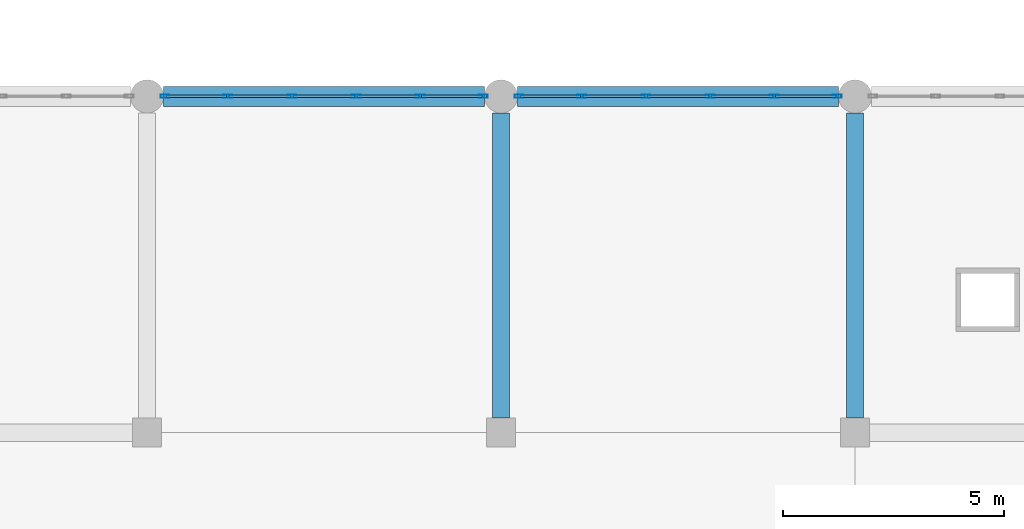
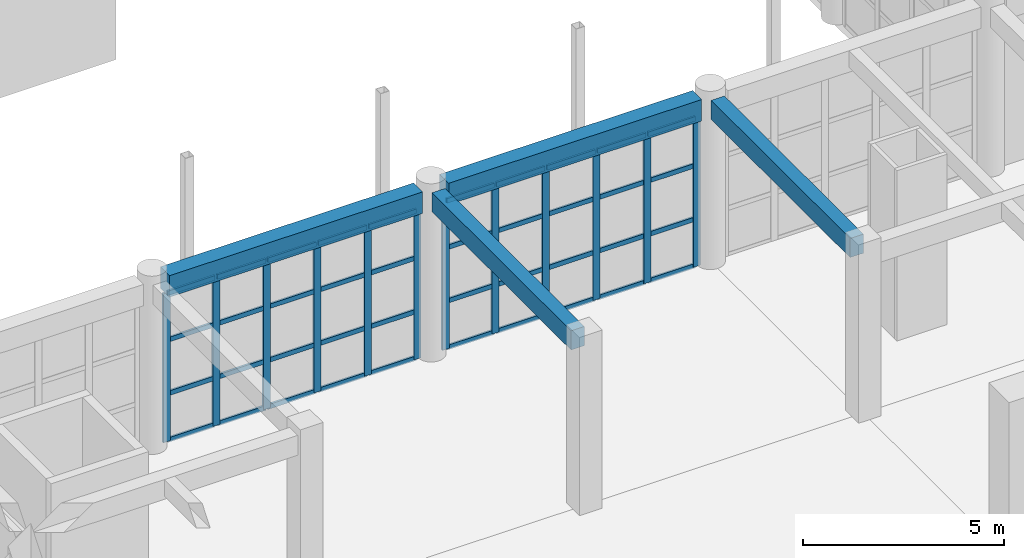
# One storey, part 49 of 95: 52 members, 4 beams, 2 elements without a shape of their own.
"""IFC4 building model written with IfcOpenShell, lengths in metres."""

import ifcopenshell
import ifcopenshell.guid

model = None  # the IFC model being written
_history = None  # IfcOwnerHistory: only IFC2X3 demands one
_inside = {}  # id of a spatial element -> (the spatial element, [elements in it])
_under = {}  # id of a project, library or spatial element -> (it, [spatial elements below it])
_declared = {}  # id of a project -> (the project, [libraries it declares])
_typed = {}  # id of a type object -> (the type object, [elements of that type])
_made_of = {}  # id of a material, layer set ... -> (it, [elements and type objects made of it])


def new_model(schema):
    """Start an empty IFC model of exactly this schema.

    Asked for "IFC4X3", IfcOpenShell would pick the latest addendum, in which some entities
    have other attributes; the version numbers below select the first issue.
    IFC2X3 requires an IfcOwnerHistory on every rooted entity: one is made here for all.
    """
    global model, _history
    if schema == "IFC4X3":
        model = ifcopenshell.file(schema_version=(4, 3, 0, 0))
    else:
        model = ifcopenshell.file(schema=schema)
    _inside.clear()
    _under.clear()
    _declared.clear()
    _typed.clear()
    _made_of.clear()
    _history = None
    if model.schema == "IFC2X3":
        org = make("IfcOrganization", Name="unknown")
        user = make(
            "IfcPersonAndOrganization",
            ThePerson=make("IfcPerson", FamilyName="unknown"),
            TheOrganization=org,
        )
        app = make(
            "IfcApplication",
            ApplicationDeveloper=org,
            Version="unknown",
            ApplicationFullName="unknown",
            ApplicationIdentifier="unknown",
        )
        _history = make(
            "IfcOwnerHistory",
            OwningUser=user,
            OwningApplication=app,
            ChangeAction="ADDED",
            CreationDate=0,
        )
    return model


def make(cls, **values):
    """One entity of the class cls with the attributes given. An attribute that is None is left unset."""
    return model.create_entity(
        cls, **{name: value for name, value in values.items() if value is not None}
    )


def rooted(cls, **values):
    """An entity with a GlobalId (a new one), such as an element, a storey or a relation."""
    return make(cls, GlobalId=ifcopenshell.guid.new(), OwnerHistory=_history, **values)


def si_unit(unit_type, name, prefix=None):
    """IfcSIUnit, for example si_unit("LENGTHUNIT", "METRE", prefix="MILLI")."""
    return make("IfcSIUnit", UnitType=unit_type, Prefix=prefix, Name=name)


def assignment(units):
    """IfcUnitAssignment: the units of a project."""
    return None if units is None else make("IfcUnitAssignment", Units=units)


def point(xyz):
    """IfcCartesianPoint."""
    return None if xyz is None else make("IfcCartesianPoint", Coordinates=xyz)


def direction(xyz):
    """IfcDirection."""
    return None if xyz is None else make("IfcDirection", DirectionRatios=xyz)


def frame(location, z_axis=None, x_axis=None):
    """IfcAxis2Placement3D, a coordinate frame: its origin and axes. An axis left out is left unset."""
    return make(
        "IfcAxis2Placement3D",
        Location=point(location),
        Axis=direction(z_axis),
        RefDirection=direction(x_axis),
    )


def frame_2d(location, x_axis=None):
    """IfcAxis2Placement2D, a coordinate frame in the plane: its origin and x axis."""
    return make(
        "IfcAxis2Placement2D", Location=point(location), RefDirection=direction(x_axis)
    )


def origin():
    """The frame at (0, 0, 0) with its axes left unset."""
    return frame((0.0, 0.0, 0.0))


def origin_2d():
    """The frame at (0, 0) in the plane with its x axis left unset."""
    return frame_2d((0.0, 0.0))


def place(relative_to, where):
    """IfcLocalPlacement: puts the frame where relative to a parent placement (None: the world)."""
    return make(
        "IfcLocalPlacement", PlacementRelTo=relative_to, RelativePlacement=where
    )


def context(
    kind, dimensions, precision=None, world=None, true_north=None, identifier=None
):
    """IfcGeometricRepresentationContext, for example the 3D "Model" context."""
    return make(
        "IfcGeometricRepresentationContext",
        ContextIdentifier=identifier,
        ContextType=kind,
        CoordinateSpaceDimension=dimensions,
        Precision=precision,
        WorldCoordinateSystem=world,
        TrueNorth=true_north,
    )


def subcontext(parent, identifier, kind, view, scale=None):
    """IfcGeometricRepresentationSubContext, for example "Body" below "Model"."""
    return make(
        "IfcGeometricRepresentationSubContext",
        ContextIdentifier=identifier,
        ContextType=kind,
        ParentContext=parent,
        TargetScale=scale,
        TargetView=view,
    )


def project(units=None, contexts=None):
    """IfcProject with its units and contexts."""
    return rooted(
        "IfcProject",
        Name="project",
        RepresentationContexts=contexts,
        UnitsInContext=assignment(units),
    )


def spatial(cls, under=None, at=None, **own):
    """A site, building, storey or space (cls), placed at a placement, below another one or the project."""
    s = rooted(cls, ObjectPlacement=at, **own)
    if under is not None:
        _under.setdefault(under.id(), (under, []))[1].append(s)
    return s


def profile(cls, at=None, kind="AREA", **sizes):
    """A parametric profile (cls). Its sizes go by their IFC names, for example OverallWidth=200.0."""
    return make(cls, ProfileType=kind, Position=at, **sizes)


def rectangle(**sizes):
    """IfcRectangleProfileDef."""
    return profile("IfcRectangleProfileDef", **sizes)


def hollow_rectangle(**sizes):
    """IfcRectangleHollowProfileDef."""
    return profile("IfcRectangleHollowProfileDef", **sizes)


def extrude(swept, where, along, depth):
    """IfcExtrudedAreaSolid: the profile swept, set in the frame where, extruded along a direction by depth."""
    return make(
        "IfcExtrudedAreaSolid",
        SweptArea=swept,
        Position=where,
        ExtrudedDirection=direction(along),
        Depth=depth,
    )


def shape(context_of_items, identifier, shape_type, items):
    """IfcShapeRepresentation: the items that make up one representation, for example the "Body"."""
    return make(
        "IfcShapeRepresentation",
        ContextOfItems=context_of_items,
        RepresentationIdentifier=identifier,
        RepresentationType=shape_type,
        Items=items,
    )


def material(Name=None, Category=None):
    """IfcMaterial."""
    return make("IfcMaterial", Name=Name, Category=Category)


def material_profile(
    of_material, cross_section, Name=None, Category=None, Priority=None
):
    """IfcMaterialProfile: a cross section and its material."""
    return make(
        "IfcMaterialProfile",
        Name=Name,
        Material=of_material,
        Profile=cross_section,
        Priority=Priority,
        Category=Category,
    )


def profile_set(profiles, Name=None, composite=None):
    """IfcMaterialProfileSet."""
    return make(
        "IfcMaterialProfileSet",
        Name=Name,
        MaterialProfiles=profiles,
        CompositeProfile=composite,
    )


def made_of(thing, what):
    """Note that an element or type object is made of a material, layer set ...; save() writes the relation."""
    if what is not None:
        _made_of.setdefault(what.id(), (what, []))[1].append(thing)
    return thing


def type_object(cls, material=None, **own):
    """A type object (cls), such as IfcWallType, which elements share."""
    return made_of(rooted(cls, **own), material)


def element(
    cls,
    number,
    at=None,
    inside=None,
    cuts=None,
    type_object=None,
    material=None,
    context=None,
    identifier="Body",
    shape_type=None,
    held_by="IfcProductDefinitionShape",
    body=None,
    shapes=None,
    **own,
):
    """One element of the class cls, such as IfcWall. Its Tag is "e" and its number.

    at: its placement. inside: the storey or other place that contains it. cuts: it is an
    opening in that element (IfcRelVoidsElement). A single representation is given by context,
    identifier, shape_type and body (its items); several are given by shapes. held_by: the class
    of the entity that holds the representations. save() writes the other relations.
    """
    e = rooted(cls, Tag="e%d" % number, ObjectPlacement=at, **own)
    if body is not None:
        shapes = [shape(context, identifier, shape_type, body)]
    if shapes is not None:
        e.Representation = make(held_by, Representations=shapes)
    if inside is not None:
        _inside.setdefault(inside.id(), (inside, []))[1].append(e)
    if cuts is not None:
        rooted(
            "IfcRelVoidsElement", RelatingBuildingElement=cuts, RelatedOpeningElement=e
        )
    if type_object is not None:
        _typed.setdefault(type_object.id(), (type_object, []))[1].append(e)
    return made_of(e, material)


def aggregate(whole, parts):
    """IfcRelAggregates: a whole, such as a stair, and the parts it consists of."""
    return rooted("IfcRelAggregates", RelatingObject=whole, RelatedObjects=parts)


def save(model, path):
    """Write the relations noted so far, then the file.

    IfcRelAggregates (storeys below a building ...), IfcRelContainedInSpatialStructure (elements
    in a storey), IfcRelDefinesByType, IfcRelAssociatesMaterial and IfcRelDeclares: one each for
    every whole, place, type object, material and project.
    """
    for whole, parts in _under.values():
        aggregate(whole, parts)
    for where, things in _inside.values():
        rooted(
            "IfcRelContainedInSpatialStructure",
            RelatedElements=things,
            RelatingStructure=where,
        )
    for kind, things in _typed.values():
        rooted("IfcRelDefinesByType", RelatedObjects=things, RelatingType=kind)
    for what, things in _made_of.values():
        rooted("IfcRelAssociatesMaterial", RelatedObjects=things, RelatingMaterial=what)
    for by, libraries in _declared.values():
        rooted("IfcRelDeclares", RelatingContext=by, RelatedDefinitions=libraries)
    model.write(path)


model = new_model("IFC4")

# Units and contexts
model_context = context("Model", 3, precision=1e-05, world=origin(), true_north=direction((0.0, 1.0)))
body_context = subcontext(model_context, "Body", "Model", "MODEL_VIEW")
ifc_project = project(units=[si_unit("LENGTHUNIT", "METRE"), si_unit("AREAUNIT", "SQUARE_METRE"), si_unit("VOLUMEUNIT", "CUBIC_METRE"), si_unit("PLANEANGLEUNIT", "RADIAN"), si_unit("MASSUNIT", "GRAM", prefix="KILO")], contexts=[model_context])

# Site, building, storey
site_placement = place(None, origin())
site = spatial("IfcSite", under=ifc_project, at=site_placement, CompositionType="ELEMENT")
building_placement = place(site_placement, origin())
building = spatial("IfcBuilding", under=site, at=building_placement, Name="Zantavel Square City Hall", CompositionType="ELEMENT")
storey_placement = place(building_placement, origin())
storey = spatial("IfcBuildingStorey", under=building, at=storey_placement, Name="L01", CompositionType="ELEMENT", Elevation=0.0)

# Beams
ifc_material_1 = material(Name="Concrete C35/45", Category="concrete")
ifc_material_profile_1 = material_profile(ifc_material_1, rectangle(XDim=0.3798828125, YDim=0.580078125, at=origin_2d()), Name="RC 380x580")
ifc_profile_set_1 = profile_set([ifc_material_profile_1], Name="Concrete C35/45")
beam_type_1 = type_object("IfcBeamType", Name="Annex Secondary Beam RC 380x580 C35/45", PredefinedType="BEAM", material=ifc_profile_set_1)
for number, where, z_axis, x_axis, name in (
    (1, (136.0, 30.72509765625, 4.8701171875), (0.0, 1.0, 0.0), (-1.0, 0.0, 0.0), "L01 Beam BMY-L01-1360-0304"),
    (2, (144.0, 30.72509765625, 4.8701171875), (0.0, 1.0, 0.0), (-1.0, 0.0, 0.0), "L01 Beam BMY-L01-1440-0304"),
):
    element("IfcBeam", number, at=place(storey_placement, frame(where, z_axis=z_axis, x_axis=x_axis)), inside=storey, type_object=beam_type_1, Name=name, PredefinedType="BEAM", context=body_context, shape_type="SweptSolid", body=[
        extrude(rectangle(XDim=0.3798828125, YDim=0.580078125, at=origin_2d()), origin(), (0.0, 0.0, 1.0), 6.89990234375),
    ])

# Curtain wall, members
ifc_material_2 = material(Name="Anodised aluminium 6063-T6", Category="aluminium")
curtain_wall_type = type_object("IfcCurtainWallType", Name="Curtain Wall CRT 7250x4510", PredefinedType="USERDEFINED", material=ifc_material_2)
curtain_wall_1_placement = place(storey_placement, origin())
curtain_wall_1 = element("IfcCurtainWall", 3, at=curtain_wall_1_placement, inside=storey, type_object=curtain_wall_type, Name="L01 Glazed Curtain Wall CW-L01-028", ObjectType="GLAZED CURTAIN WALL", PredefinedType="USERDEFINED")
ifc_material_profile_2 = material_profile(ifc_material_2, hollow_rectangle(XDim=0.070068359375, YDim=0.199951171875, WallThickness=0.00439453125, at=origin_2d()), Name="ALU 70x200x4.5")
ifc_profile_set_2 = profile_set([ifc_material_profile_2], Name="Anodised aluminium 6063-T6")
member_type_1 = type_object("IfcMemberType", Name="CW Heavy Hall Mullion ALU 70x200x4.5", PredefinedType="MULLION", material=ifc_profile_set_2)
member_1_placement = place(storey_placement, frame((128.405029296875, 38.0, 0.0), z_axis=(0.0, 0.0, 1.0), x_axis=(0.0, 1.0, 0.0)))
member_1 = element("IfcMember", 4, at=member_1_placement, type_object=member_type_1, Name="CW-028 mullion 1", PredefinedType="MULLION", context=body_context, shape_type="SweptSolid", body=[
    extrude(hollow_rectangle(XDim=0.070068359375, YDim=0.199951171875, WallThickness=0.00439453125, at=origin_2d()), origin(), (0.0, 0.0, 1.0), 4.510009765625),
])
member_2_placement = place(storey_placement, frame((129.824951171875, 38.0, 0.0), z_axis=(0.0, 0.0, 1.0), x_axis=(0.0, 1.0, 0.0)))
member_2 = element("IfcMember", 5, at=member_2_placement, type_object=member_type_1, Name="CW-028 mullion 2", PredefinedType="MULLION", context=body_context, shape_type="SweptSolid", body=[
    extrude(hollow_rectangle(XDim=0.070068359375, YDim=0.199951171875, WallThickness=0.00439453125, at=origin_2d()), origin(), (0.0, 0.0, 1.0), 4.510009765625),
])
member_3_placement = place(storey_placement, frame((131.27490234375, 38.0, 0.0), z_axis=(0.0, 0.0, 1.0), x_axis=(0.0, 1.0, 0.0)))
member_3 = element("IfcMember", 6, at=member_3_placement, type_object=member_type_1, Name="CW-028 mullion 3", PredefinedType="MULLION", context=body_context, shape_type="SweptSolid", body=[
    extrude(hollow_rectangle(XDim=0.070068359375, YDim=0.199951171875, WallThickness=0.00439453125, at=origin_2d()), origin(), (0.0, 0.0, 1.0), 4.510009765625),
])
member_4_placement = place(storey_placement, frame((132.72509765625, 38.0, 0.0), z_axis=(0.0, 0.0, 1.0), x_axis=(0.0, 1.0, 0.0)))
member_4 = element("IfcMember", 7, at=member_4_placement, type_object=member_type_1, Name="CW-028 mullion 4", PredefinedType="MULLION", context=body_context, shape_type="SweptSolid", body=[
    extrude(hollow_rectangle(XDim=0.070068359375, YDim=0.199951171875, WallThickness=0.00439453125, at=origin_2d()), origin(), (0.0, 0.0, 1.0), 4.510009765625),
])
member_5_placement = place(storey_placement, frame((134.175048828125, 38.0, 0.0), z_axis=(0.0, 0.0, 1.0), x_axis=(0.0, 1.0, 0.0)))
member_5 = element("IfcMember", 8, at=member_5_placement, type_object=member_type_1, Name="CW-028 mullion 5", PredefinedType="MULLION", context=body_context, shape_type="SweptSolid", body=[
    extrude(hollow_rectangle(XDim=0.070068359375, YDim=0.199951171875, WallThickness=0.00439453125, at=origin_2d()), origin(), (0.0, 0.0, 1.0), 4.510009765625),
])
member_6_placement = place(storey_placement, frame((135.594970703125, 38.0, 0.0), z_axis=(0.0, 0.0, 1.0), x_axis=(0.0, 1.0, 0.0)))
member_6 = element("IfcMember", 9, at=member_6_placement, type_object=member_type_1, Name="CW-028 mullion 6", PredefinedType="MULLION", context=body_context, shape_type="SweptSolid", body=[
    extrude(hollow_rectangle(XDim=0.070068359375, YDim=0.199951171875, WallThickness=0.00439453125, at=origin_2d()), origin(), (0.0, 0.0, 1.0), 4.510009765625),
])

curtain_wall_2_placement = place(storey_placement, origin())
curtain_wall_2 = element("IfcCurtainWall", 10, at=curtain_wall_2_placement, inside=storey, type_object=curtain_wall_type, Name="L01 Glazed Curtain Wall CW-L01-029", ObjectType="GLAZED CURTAIN WALL", PredefinedType="USERDEFINED")
member_7_placement = place(storey_placement, frame((136.405029296875, 38.0, 0.0), z_axis=(0.0, 0.0, 1.0), x_axis=(0.0, 1.0, 0.0)))
member_7 = element("IfcMember", 11, at=member_7_placement, type_object=member_type_1, Name="CW-029 mullion 1", PredefinedType="MULLION", context=body_context, shape_type="SweptSolid", body=[
    extrude(hollow_rectangle(XDim=0.070068359375, YDim=0.199951171875, WallThickness=0.00439453125, at=origin_2d()), origin(), (0.0, 0.0, 1.0), 4.510009765625),
])
member_8_placement = place(storey_placement, frame((137.824951171875, 38.0, 0.0), z_axis=(0.0, 0.0, 1.0), x_axis=(0.0, 1.0, 0.0)))
member_8 = element("IfcMember", 12, at=member_8_placement, type_object=member_type_1, Name="CW-029 mullion 2", PredefinedType="MULLION", context=body_context, shape_type="SweptSolid", body=[
    extrude(hollow_rectangle(XDim=0.070068359375, YDim=0.199951171875, WallThickness=0.00439453125, at=origin_2d()), origin(), (0.0, 0.0, 1.0), 4.510009765625),
])
member_9_placement = place(storey_placement, frame((139.27490234375, 38.0, 0.0), z_axis=(0.0, 0.0, 1.0), x_axis=(0.0, 1.0, 0.0)))
member_9 = element("IfcMember", 13, at=member_9_placement, type_object=member_type_1, Name="CW-029 mullion 3", PredefinedType="MULLION", context=body_context, shape_type="SweptSolid", body=[
    extrude(hollow_rectangle(XDim=0.070068359375, YDim=0.199951171875, WallThickness=0.00439453125, at=origin_2d()), origin(), (0.0, 0.0, 1.0), 4.510009765625),
])
member_10_placement = place(storey_placement, frame((140.72509765625, 38.0, 0.0), z_axis=(0.0, 0.0, 1.0), x_axis=(0.0, 1.0, 0.0)))
member_10 = element("IfcMember", 14, at=member_10_placement, type_object=member_type_1, Name="CW-029 mullion 4", PredefinedType="MULLION", context=body_context, shape_type="SweptSolid", body=[
    extrude(hollow_rectangle(XDim=0.070068359375, YDim=0.199951171875, WallThickness=0.00439453125, at=origin_2d()), origin(), (0.0, 0.0, 1.0), 4.510009765625),
])
member_11_placement = place(storey_placement, frame((142.175048828125, 38.0, 0.0), z_axis=(0.0, 0.0, 1.0), x_axis=(0.0, 1.0, 0.0)))
member_11 = element("IfcMember", 15, at=member_11_placement, type_object=member_type_1, Name="CW-029 mullion 5", PredefinedType="MULLION", context=body_context, shape_type="SweptSolid", body=[
    extrude(hollow_rectangle(XDim=0.070068359375, YDim=0.199951171875, WallThickness=0.00439453125, at=origin_2d()), origin(), (0.0, 0.0, 1.0), 4.510009765625),
])
member_12_placement = place(storey_placement, frame((143.594970703125, 38.0, 0.0), z_axis=(0.0, 0.0, 1.0), x_axis=(0.0, 1.0, 0.0)))
member_12 = element("IfcMember", 16, at=member_12_placement, type_object=member_type_1, Name="CW-029 mullion 6", PredefinedType="MULLION", context=body_context, shape_type="SweptSolid", body=[
    extrude(hollow_rectangle(XDim=0.070068359375, YDim=0.199951171875, WallThickness=0.00439453125, at=origin_2d()), origin(), (0.0, 0.0, 1.0), 4.510009765625),
])

# Member
ifc_material_profile_3 = material_profile(ifc_material_2, hollow_rectangle(XDim=0.06005859375, YDim=0.139892578125, WallThickness=0.00390625, at=origin_2d()), Name="ALU 60x140x4")
ifc_profile_set_3 = profile_set([ifc_material_profile_3], Name="Anodised aluminium 6063-T6")
member_type_2 = type_object("IfcMemberType", Name="CW Transom ALU 60x140x4", PredefinedType="USERDEFINED", material=ifc_profile_set_3)
member_13_placement = place(storey_placement, frame((128.43505859375, 38.0, 0.030029296875), z_axis=(1.0, 0.0, 0.0), x_axis=(0.0, 1.0, 0.0)))
member_13 = element("IfcMember", 17, at=member_13_placement, type_object=member_type_2, Name="CW-028 transom 1.1", ObjectType="TRANSOM", PredefinedType="USERDEFINED", context=body_context, shape_type="SweptSolid", body=[
    extrude(hollow_rectangle(XDim=0.06005859375, YDim=0.139892578125, WallThickness=0.00390625, at=origin_2d()), origin(), (0.0, 0.0, 1.0), 1.35986328125),
])

member_14_placement = place(storey_placement, frame((128.43505859375, 38.0, 1.443115234375), z_axis=(1.0, 0.0, 0.0), x_axis=(0.0, 1.0, 0.0)))
member_14 = element("IfcMember", 18, at=member_14_placement, type_object=member_type_2, Name="CW-028 transom 1.2", ObjectType="TRANSOM", PredefinedType="USERDEFINED", context=body_context, shape_type="SweptSolid", body=[
    extrude(hollow_rectangle(XDim=0.06005859375, YDim=0.139892578125, WallThickness=0.00390625, at=origin_2d()), origin(), (0.0, 0.0, 1.0), 1.35986328125),
])

member_15_placement = place(storey_placement, frame((128.43505859375, 38.0, 3.06689453125), z_axis=(1.0, 0.0, 0.0), x_axis=(0.0, 1.0, 0.0)))
member_15 = element("IfcMember", 19, at=member_15_placement, type_object=member_type_2, Name="CW-028 transom 1.3", ObjectType="TRANSOM", PredefinedType="USERDEFINED", context=body_context, shape_type="SweptSolid", body=[
    extrude(hollow_rectangle(XDim=0.06005859375, YDim=0.139892578125, WallThickness=0.00390625, at=origin_2d()), origin(), (0.0, 0.0, 1.0), 1.35986328125),
])

member_16_placement = place(storey_placement, frame((128.43505859375, 38.0, 4.47998046875), z_axis=(1.0, 0.0, 0.0), x_axis=(0.0, 1.0, 0.0)))
member_16 = element("IfcMember", 20, at=member_16_placement, type_object=member_type_2, Name="CW-028 transom 1.4", ObjectType="TRANSOM", PredefinedType="USERDEFINED", context=body_context, shape_type="SweptSolid", body=[
    extrude(hollow_rectangle(XDim=0.06005859375, YDim=0.139892578125, WallThickness=0.00390625, at=origin_2d()), origin(), (0.0, 0.0, 1.0), 1.35986328125),
])

member_17_placement = place(storey_placement, frame((129.85498046875, 38.0, 0.030029296875), z_axis=(1.0, 0.0, 0.0), x_axis=(0.0, 1.0, 0.0)))
member_17 = element("IfcMember", 21, at=member_17_placement, type_object=member_type_2, Name="CW-028 transom 2.1", ObjectType="TRANSOM", PredefinedType="USERDEFINED", context=body_context, shape_type="SweptSolid", body=[
    extrude(hollow_rectangle(XDim=0.06005859375, YDim=0.139892578125, WallThickness=0.00390625, at=origin_2d()), origin(), (0.0, 0.0, 1.0), 1.39013671875),
])

member_18_placement = place(storey_placement, frame((129.85498046875, 38.0, 1.443115234375), z_axis=(1.0, 0.0, 0.0), x_axis=(0.0, 1.0, 0.0)))
member_18 = element("IfcMember", 22, at=member_18_placement, type_object=member_type_2, Name="CW-028 transom 2.2", ObjectType="TRANSOM", PredefinedType="USERDEFINED", context=body_context, shape_type="SweptSolid", body=[
    extrude(hollow_rectangle(XDim=0.06005859375, YDim=0.139892578125, WallThickness=0.00390625, at=origin_2d()), origin(), (0.0, 0.0, 1.0), 1.39013671875),
])

member_19_placement = place(storey_placement, frame((129.85498046875, 38.0, 3.06689453125), z_axis=(1.0, 0.0, 0.0), x_axis=(0.0, 1.0, 0.0)))
member_19 = element("IfcMember", 23, at=member_19_placement, type_object=member_type_2, Name="CW-028 transom 2.3", ObjectType="TRANSOM", PredefinedType="USERDEFINED", context=body_context, shape_type="SweptSolid", body=[
    extrude(hollow_rectangle(XDim=0.06005859375, YDim=0.139892578125, WallThickness=0.00390625, at=origin_2d()), origin(), (0.0, 0.0, 1.0), 1.39013671875),
])

member_20_placement = place(storey_placement, frame((129.85498046875, 38.0, 4.47998046875), z_axis=(1.0, 0.0, 0.0), x_axis=(0.0, 1.0, 0.0)))
member_20 = element("IfcMember", 24, at=member_20_placement, type_object=member_type_2, Name="CW-028 transom 2.4", ObjectType="TRANSOM", PredefinedType="USERDEFINED", context=body_context, shape_type="SweptSolid", body=[
    extrude(hollow_rectangle(XDim=0.06005859375, YDim=0.139892578125, WallThickness=0.00390625, at=origin_2d()), origin(), (0.0, 0.0, 1.0), 1.39013671875),
])

member_21_placement = place(storey_placement, frame((131.304931640625, 38.0, 0.030029296875), z_axis=(1.0, 0.0, 0.0), x_axis=(0.0, 1.0, 0.0)))
member_21 = element("IfcMember", 25, at=member_21_placement, type_object=member_type_2, Name="CW-028 transom 3.1", ObjectType="TRANSOM", PredefinedType="USERDEFINED", context=body_context, shape_type="SweptSolid", body=[
    extrude(hollow_rectangle(XDim=0.06005859375, YDim=0.139892578125, WallThickness=0.00390625, at=origin_2d()), origin(), (0.0, 0.0, 1.0), 1.39013671875),
])

member_22_placement = place(storey_placement, frame((131.304931640625, 38.0, 1.443115234375), z_axis=(1.0, 0.0, 0.0), x_axis=(0.0, 1.0, 0.0)))
member_22 = element("IfcMember", 26, at=member_22_placement, type_object=member_type_2, Name="CW-028 transom 3.2", ObjectType="TRANSOM", PredefinedType="USERDEFINED", context=body_context, shape_type="SweptSolid", body=[
    extrude(hollow_rectangle(XDim=0.06005859375, YDim=0.139892578125, WallThickness=0.00390625, at=origin_2d()), origin(), (0.0, 0.0, 1.0), 1.39013671875),
])

member_23_placement = place(storey_placement, frame((131.304931640625, 38.0, 3.06689453125), z_axis=(1.0, 0.0, 0.0), x_axis=(0.0, 1.0, 0.0)))
member_23 = element("IfcMember", 27, at=member_23_placement, type_object=member_type_2, Name="CW-028 transom 3.3", ObjectType="TRANSOM", PredefinedType="USERDEFINED", context=body_context, shape_type="SweptSolid", body=[
    extrude(hollow_rectangle(XDim=0.06005859375, YDim=0.139892578125, WallThickness=0.00390625, at=origin_2d()), origin(), (0.0, 0.0, 1.0), 1.39013671875),
])

member_24_placement = place(storey_placement, frame((131.304931640625, 38.0, 4.47998046875), z_axis=(1.0, 0.0, 0.0), x_axis=(0.0, 1.0, 0.0)))
member_24 = element("IfcMember", 28, at=member_24_placement, type_object=member_type_2, Name="CW-028 transom 3.4", ObjectType="TRANSOM", PredefinedType="USERDEFINED", context=body_context, shape_type="SweptSolid", body=[
    extrude(hollow_rectangle(XDim=0.06005859375, YDim=0.139892578125, WallThickness=0.00390625, at=origin_2d()), origin(), (0.0, 0.0, 1.0), 1.39013671875),
])

member_25_placement = place(storey_placement, frame((132.7548828125, 38.0, 0.030029296875), z_axis=(1.0, 0.0, 0.0), x_axis=(0.0, 1.0, 0.0)))
member_25 = element("IfcMember", 29, at=member_25_placement, type_object=member_type_2, Name="CW-028 transom 4.1", ObjectType="TRANSOM", PredefinedType="USERDEFINED", context=body_context, shape_type="SweptSolid", body=[
    extrude(hollow_rectangle(XDim=0.06005859375, YDim=0.139892578125, WallThickness=0.00390625, at=origin_2d()), origin(), (0.0, 0.0, 1.0), 1.39013671875),
])

member_26_placement = place(storey_placement, frame((132.7548828125, 38.0, 1.443115234375), z_axis=(1.0, 0.0, 0.0), x_axis=(0.0, 1.0, 0.0)))
member_26 = element("IfcMember", 30, at=member_26_placement, type_object=member_type_2, Name="CW-028 transom 4.2", ObjectType="TRANSOM", PredefinedType="USERDEFINED", context=body_context, shape_type="SweptSolid", body=[
    extrude(hollow_rectangle(XDim=0.06005859375, YDim=0.139892578125, WallThickness=0.00390625, at=origin_2d()), origin(), (0.0, 0.0, 1.0), 1.39013671875),
])

member_27_placement = place(storey_placement, frame((132.7548828125, 38.0, 3.06689453125), z_axis=(1.0, 0.0, 0.0), x_axis=(0.0, 1.0, 0.0)))
member_27 = element("IfcMember", 31, at=member_27_placement, type_object=member_type_2, Name="CW-028 transom 4.3", ObjectType="TRANSOM", PredefinedType="USERDEFINED", context=body_context, shape_type="SweptSolid", body=[
    extrude(hollow_rectangle(XDim=0.06005859375, YDim=0.139892578125, WallThickness=0.00390625, at=origin_2d()), origin(), (0.0, 0.0, 1.0), 1.39013671875),
])

member_28_placement = place(storey_placement, frame((132.7548828125, 38.0, 4.47998046875), z_axis=(1.0, 0.0, 0.0), x_axis=(0.0, 1.0, 0.0)))
member_28 = element("IfcMember", 32, at=member_28_placement, type_object=member_type_2, Name="CW-028 transom 4.4", ObjectType="TRANSOM", PredefinedType="USERDEFINED", context=body_context, shape_type="SweptSolid", body=[
    extrude(hollow_rectangle(XDim=0.06005859375, YDim=0.139892578125, WallThickness=0.00390625, at=origin_2d()), origin(), (0.0, 0.0, 1.0), 1.39013671875),
])

member_29_placement = place(storey_placement, frame((134.205078125, 38.0, 0.030029296875), z_axis=(1.0, 0.0, 0.0), x_axis=(0.0, 1.0, 0.0)))
member_29 = element("IfcMember", 33, at=member_29_placement, type_object=member_type_2, Name="CW-028 transom 5.1", ObjectType="TRANSOM", PredefinedType="USERDEFINED", context=body_context, shape_type="SweptSolid", body=[
    extrude(hollow_rectangle(XDim=0.06005859375, YDim=0.139892578125, WallThickness=0.00390625, at=origin_2d()), origin(), (0.0, 0.0, 1.0), 1.35986328125),
])

member_30_placement = place(storey_placement, frame((134.205078125, 38.0, 1.443115234375), z_axis=(1.0, 0.0, 0.0), x_axis=(0.0, 1.0, 0.0)))
member_30 = element("IfcMember", 34, at=member_30_placement, type_object=member_type_2, Name="CW-028 transom 5.2", ObjectType="TRANSOM", PredefinedType="USERDEFINED", context=body_context, shape_type="SweptSolid", body=[
    extrude(hollow_rectangle(XDim=0.06005859375, YDim=0.139892578125, WallThickness=0.00390625, at=origin_2d()), origin(), (0.0, 0.0, 1.0), 1.35986328125),
])

member_31_placement = place(storey_placement, frame((134.205078125, 38.0, 3.06689453125), z_axis=(1.0, 0.0, 0.0), x_axis=(0.0, 1.0, 0.0)))
member_31 = element("IfcMember", 35, at=member_31_placement, type_object=member_type_2, Name="CW-028 transom 5.3", ObjectType="TRANSOM", PredefinedType="USERDEFINED", context=body_context, shape_type="SweptSolid", body=[
    extrude(hollow_rectangle(XDim=0.06005859375, YDim=0.139892578125, WallThickness=0.00390625, at=origin_2d()), origin(), (0.0, 0.0, 1.0), 1.35986328125),
])

member_32_placement = place(storey_placement, frame((134.205078125, 38.0, 4.47998046875), z_axis=(1.0, 0.0, 0.0), x_axis=(0.0, 1.0, 0.0)))
member_32 = element("IfcMember", 36, at=member_32_placement, type_object=member_type_2, Name="CW-028 transom 5.4", ObjectType="TRANSOM", PredefinedType="USERDEFINED", context=body_context, shape_type="SweptSolid", body=[
    extrude(hollow_rectangle(XDim=0.06005859375, YDim=0.139892578125, WallThickness=0.00390625, at=origin_2d()), origin(), (0.0, 0.0, 1.0), 1.35986328125),
])

aggregate(curtain_wall_1, [member_1, member_2, member_3, member_4, member_5, member_6, member_13, member_14, member_15, member_16, member_17, member_18, member_19, member_20, member_21, member_22, member_23, member_24, member_25, member_26, member_27, member_28, member_29, member_30, member_31, member_32])

member_33_placement = place(storey_placement, frame((136.43505859375, 38.0, 0.030029296875), z_axis=(1.0, 0.0, 0.0), x_axis=(0.0, 1.0, 0.0)))
member_33 = element("IfcMember", 37, at=member_33_placement, type_object=member_type_2, Name="CW-029 transom 1.1", ObjectType="TRANSOM", PredefinedType="USERDEFINED", context=body_context, shape_type="SweptSolid", body=[
    extrude(hollow_rectangle(XDim=0.06005859375, YDim=0.139892578125, WallThickness=0.00390625, at=origin_2d()), origin(), (0.0, 0.0, 1.0), 1.35986328125),
])

member_34_placement = place(storey_placement, frame((136.43505859375, 38.0, 1.443115234375), z_axis=(1.0, 0.0, 0.0), x_axis=(0.0, 1.0, 0.0)))
member_34 = element("IfcMember", 38, at=member_34_placement, type_object=member_type_2, Name="CW-029 transom 1.2", ObjectType="TRANSOM", PredefinedType="USERDEFINED", context=body_context, shape_type="SweptSolid", body=[
    extrude(hollow_rectangle(XDim=0.06005859375, YDim=0.139892578125, WallThickness=0.00390625, at=origin_2d()), origin(), (0.0, 0.0, 1.0), 1.35986328125),
])

member_35_placement = place(storey_placement, frame((136.43505859375, 38.0, 3.06689453125), z_axis=(1.0, 0.0, 0.0), x_axis=(0.0, 1.0, 0.0)))
member_35 = element("IfcMember", 39, at=member_35_placement, type_object=member_type_2, Name="CW-029 transom 1.3", ObjectType="TRANSOM", PredefinedType="USERDEFINED", context=body_context, shape_type="SweptSolid", body=[
    extrude(hollow_rectangle(XDim=0.06005859375, YDim=0.139892578125, WallThickness=0.00390625, at=origin_2d()), origin(), (0.0, 0.0, 1.0), 1.35986328125),
])

member_36_placement = place(storey_placement, frame((136.43505859375, 38.0, 4.47998046875), z_axis=(1.0, 0.0, 0.0), x_axis=(0.0, 1.0, 0.0)))
member_36 = element("IfcMember", 40, at=member_36_placement, type_object=member_type_2, Name="CW-029 transom 1.4", ObjectType="TRANSOM", PredefinedType="USERDEFINED", context=body_context, shape_type="SweptSolid", body=[
    extrude(hollow_rectangle(XDim=0.06005859375, YDim=0.139892578125, WallThickness=0.00390625, at=origin_2d()), origin(), (0.0, 0.0, 1.0), 1.35986328125),
])

member_37_placement = place(storey_placement, frame((137.85498046875, 38.0, 0.030029296875), z_axis=(1.0, 0.0, 0.0), x_axis=(0.0, 1.0, 0.0)))
member_37 = element("IfcMember", 41, at=member_37_placement, type_object=member_type_2, Name="CW-029 transom 2.1", ObjectType="TRANSOM", PredefinedType="USERDEFINED", context=body_context, shape_type="SweptSolid", body=[
    extrude(hollow_rectangle(XDim=0.06005859375, YDim=0.139892578125, WallThickness=0.00390625, at=origin_2d()), origin(), (0.0, 0.0, 1.0), 1.39013671875),
])

member_38_placement = place(storey_placement, frame((137.85498046875, 38.0, 1.443115234375), z_axis=(1.0, 0.0, 0.0), x_axis=(0.0, 1.0, 0.0)))
member_38 = element("IfcMember", 42, at=member_38_placement, type_object=member_type_2, Name="CW-029 transom 2.2", ObjectType="TRANSOM", PredefinedType="USERDEFINED", context=body_context, shape_type="SweptSolid", body=[
    extrude(hollow_rectangle(XDim=0.06005859375, YDim=0.139892578125, WallThickness=0.00390625, at=origin_2d()), origin(), (0.0, 0.0, 1.0), 1.39013671875),
])

member_39_placement = place(storey_placement, frame((137.85498046875, 38.0, 3.06689453125), z_axis=(1.0, 0.0, 0.0), x_axis=(0.0, 1.0, 0.0)))
member_39 = element("IfcMember", 43, at=member_39_placement, type_object=member_type_2, Name="CW-029 transom 2.3", ObjectType="TRANSOM", PredefinedType="USERDEFINED", context=body_context, shape_type="SweptSolid", body=[
    extrude(hollow_rectangle(XDim=0.06005859375, YDim=0.139892578125, WallThickness=0.00390625, at=origin_2d()), origin(), (0.0, 0.0, 1.0), 1.39013671875),
])

member_40_placement = place(storey_placement, frame((137.85498046875, 38.0, 4.47998046875), z_axis=(1.0, 0.0, 0.0), x_axis=(0.0, 1.0, 0.0)))
member_40 = element("IfcMember", 44, at=member_40_placement, type_object=member_type_2, Name="CW-029 transom 2.4", ObjectType="TRANSOM", PredefinedType="USERDEFINED", context=body_context, shape_type="SweptSolid", body=[
    extrude(hollow_rectangle(XDim=0.06005859375, YDim=0.139892578125, WallThickness=0.00390625, at=origin_2d()), origin(), (0.0, 0.0, 1.0), 1.39013671875),
])

member_41_placement = place(storey_placement, frame((139.304931640625, 38.0, 0.030029296875), z_axis=(1.0, 0.0, 0.0), x_axis=(0.0, 1.0, 0.0)))
member_41 = element("IfcMember", 45, at=member_41_placement, type_object=member_type_2, Name="CW-029 transom 3.1", ObjectType="TRANSOM", PredefinedType="USERDEFINED", context=body_context, shape_type="SweptSolid", body=[
    extrude(hollow_rectangle(XDim=0.06005859375, YDim=0.139892578125, WallThickness=0.00390625, at=origin_2d()), origin(), (0.0, 0.0, 1.0), 1.39013671875),
])

member_42_placement = place(storey_placement, frame((139.304931640625, 38.0, 1.443115234375), z_axis=(1.0, 0.0, 0.0), x_axis=(0.0, 1.0, 0.0)))
member_42 = element("IfcMember", 46, at=member_42_placement, type_object=member_type_2, Name="CW-029 transom 3.2", ObjectType="TRANSOM", PredefinedType="USERDEFINED", context=body_context, shape_type="SweptSolid", body=[
    extrude(hollow_rectangle(XDim=0.06005859375, YDim=0.139892578125, WallThickness=0.00390625, at=origin_2d()), origin(), (0.0, 0.0, 1.0), 1.39013671875),
])

member_43_placement = place(storey_placement, frame((139.304931640625, 38.0, 3.06689453125), z_axis=(1.0, 0.0, 0.0), x_axis=(0.0, 1.0, 0.0)))
member_43 = element("IfcMember", 47, at=member_43_placement, type_object=member_type_2, Name="CW-029 transom 3.3", ObjectType="TRANSOM", PredefinedType="USERDEFINED", context=body_context, shape_type="SweptSolid", body=[
    extrude(hollow_rectangle(XDim=0.06005859375, YDim=0.139892578125, WallThickness=0.00390625, at=origin_2d()), origin(), (0.0, 0.0, 1.0), 1.39013671875),
])

member_44_placement = place(storey_placement, frame((139.304931640625, 38.0, 4.47998046875), z_axis=(1.0, 0.0, 0.0), x_axis=(0.0, 1.0, 0.0)))
member_44 = element("IfcMember", 48, at=member_44_placement, type_object=member_type_2, Name="CW-029 transom 3.4", ObjectType="TRANSOM", PredefinedType="USERDEFINED", context=body_context, shape_type="SweptSolid", body=[
    extrude(hollow_rectangle(XDim=0.06005859375, YDim=0.139892578125, WallThickness=0.00390625, at=origin_2d()), origin(), (0.0, 0.0, 1.0), 1.39013671875),
])

member_45_placement = place(storey_placement, frame((140.7548828125, 38.0, 0.030029296875), z_axis=(1.0, 0.0, 0.0), x_axis=(0.0, 1.0, 0.0)))
member_45 = element("IfcMember", 49, at=member_45_placement, type_object=member_type_2, Name="CW-029 transom 4.1", ObjectType="TRANSOM", PredefinedType="USERDEFINED", context=body_context, shape_type="SweptSolid", body=[
    extrude(hollow_rectangle(XDim=0.06005859375, YDim=0.139892578125, WallThickness=0.00390625, at=origin_2d()), origin(), (0.0, 0.0, 1.0), 1.39013671875),
])

member_46_placement = place(storey_placement, frame((140.7548828125, 38.0, 1.443115234375), z_axis=(1.0, 0.0, 0.0), x_axis=(0.0, 1.0, 0.0)))
member_46 = element("IfcMember", 50, at=member_46_placement, type_object=member_type_2, Name="CW-029 transom 4.2", ObjectType="TRANSOM", PredefinedType="USERDEFINED", context=body_context, shape_type="SweptSolid", body=[
    extrude(hollow_rectangle(XDim=0.06005859375, YDim=0.139892578125, WallThickness=0.00390625, at=origin_2d()), origin(), (0.0, 0.0, 1.0), 1.39013671875),
])

member_47_placement = place(storey_placement, frame((140.7548828125, 38.0, 3.06689453125), z_axis=(1.0, 0.0, 0.0), x_axis=(0.0, 1.0, 0.0)))
member_47 = element("IfcMember", 51, at=member_47_placement, type_object=member_type_2, Name="CW-029 transom 4.3", ObjectType="TRANSOM", PredefinedType="USERDEFINED", context=body_context, shape_type="SweptSolid", body=[
    extrude(hollow_rectangle(XDim=0.06005859375, YDim=0.139892578125, WallThickness=0.00390625, at=origin_2d()), origin(), (0.0, 0.0, 1.0), 1.39013671875),
])

member_48_placement = place(storey_placement, frame((140.7548828125, 38.0, 4.47998046875), z_axis=(1.0, 0.0, 0.0), x_axis=(0.0, 1.0, 0.0)))
member_48 = element("IfcMember", 52, at=member_48_placement, type_object=member_type_2, Name="CW-029 transom 4.4", ObjectType="TRANSOM", PredefinedType="USERDEFINED", context=body_context, shape_type="SweptSolid", body=[
    extrude(hollow_rectangle(XDim=0.06005859375, YDim=0.139892578125, WallThickness=0.00390625, at=origin_2d()), origin(), (0.0, 0.0, 1.0), 1.39013671875),
])

member_49_placement = place(storey_placement, frame((142.205078125, 38.0, 0.030029296875), z_axis=(1.0, 0.0, 0.0), x_axis=(0.0, 1.0, 0.0)))
member_49 = element("IfcMember", 53, at=member_49_placement, type_object=member_type_2, Name="CW-029 transom 5.1", ObjectType="TRANSOM", PredefinedType="USERDEFINED", context=body_context, shape_type="SweptSolid", body=[
    extrude(hollow_rectangle(XDim=0.06005859375, YDim=0.139892578125, WallThickness=0.00390625, at=origin_2d()), origin(), (0.0, 0.0, 1.0), 1.35986328125),
])

member_50_placement = place(storey_placement, frame((142.205078125, 38.0, 1.443115234375), z_axis=(1.0, 0.0, 0.0), x_axis=(0.0, 1.0, 0.0)))
member_50 = element("IfcMember", 54, at=member_50_placement, type_object=member_type_2, Name="CW-029 transom 5.2", ObjectType="TRANSOM", PredefinedType="USERDEFINED", context=body_context, shape_type="SweptSolid", body=[
    extrude(hollow_rectangle(XDim=0.06005859375, YDim=0.139892578125, WallThickness=0.00390625, at=origin_2d()), origin(), (0.0, 0.0, 1.0), 1.35986328125),
])

member_51_placement = place(storey_placement, frame((142.205078125, 38.0, 3.06689453125), z_axis=(1.0, 0.0, 0.0), x_axis=(0.0, 1.0, 0.0)))
member_51 = element("IfcMember", 55, at=member_51_placement, type_object=member_type_2, Name="CW-029 transom 5.3", ObjectType="TRANSOM", PredefinedType="USERDEFINED", context=body_context, shape_type="SweptSolid", body=[
    extrude(hollow_rectangle(XDim=0.06005859375, YDim=0.139892578125, WallThickness=0.00390625, at=origin_2d()), origin(), (0.0, 0.0, 1.0), 1.35986328125),
])

member_52_placement = place(storey_placement, frame((142.205078125, 38.0, 4.47998046875), z_axis=(1.0, 0.0, 0.0), x_axis=(0.0, 1.0, 0.0)))
member_52 = element("IfcMember", 56, at=member_52_placement, type_object=member_type_2, Name="CW-029 transom 5.4", ObjectType="TRANSOM", PredefinedType="USERDEFINED", context=body_context, shape_type="SweptSolid", body=[
    extrude(hollow_rectangle(XDim=0.06005859375, YDim=0.139892578125, WallThickness=0.00390625, at=origin_2d()), origin(), (0.0, 0.0, 1.0), 1.35986328125),
])

aggregate(curtain_wall_2, [member_7, member_8, member_9, member_10, member_11, member_12, member_33, member_34, member_35, member_36, member_37, member_38, member_39, member_40, member_41, member_42, member_43, member_44, member_45, member_46, member_47, member_48, member_49, member_50, member_51, member_52])

# Beams
ifc_material_profile_4 = material_profile(ifc_material_1, rectangle(XDim=0.449951171875, YDim=0.64990234375, at=origin_2d()), Name="RC 450x650")
ifc_profile_set_4 = profile_set([ifc_material_profile_4], Name="Concrete C35/45")
beam_type_2 = type_object("IfcBeamType", Name="Courtyard Cloister Girder RC 450x650 C35/45", PredefinedType="BEAM", material=ifc_profile_set_4)
for number, where, z_axis, x_axis, name in (
    (57, (128.375, 38.0, 4.8349609375), (1.0, 0.0, 0.0), (0.0, 1.0, 0.0), "L01 Girder BMX-L01-1280-0380"),
    (58, (136.375, 38.0, 4.8349609375), (1.0, 0.0, 0.0), (0.0, 1.0, 0.0), "L01 Girder BMX-L01-1360-0380"),
):
    element("IfcBeam", number, at=place(storey_placement, frame(where, z_axis=z_axis, x_axis=x_axis)), inside=storey, type_object=beam_type_2, Name=name, PredefinedType="BEAM", context=body_context, shape_type="SweptSolid", body=[
        extrude(rectangle(XDim=0.449951171875, YDim=0.64990234375, at=origin_2d()), origin(), (0.0, 0.0, 1.0), 7.25),
    ])

save(model, "model.ifc")
